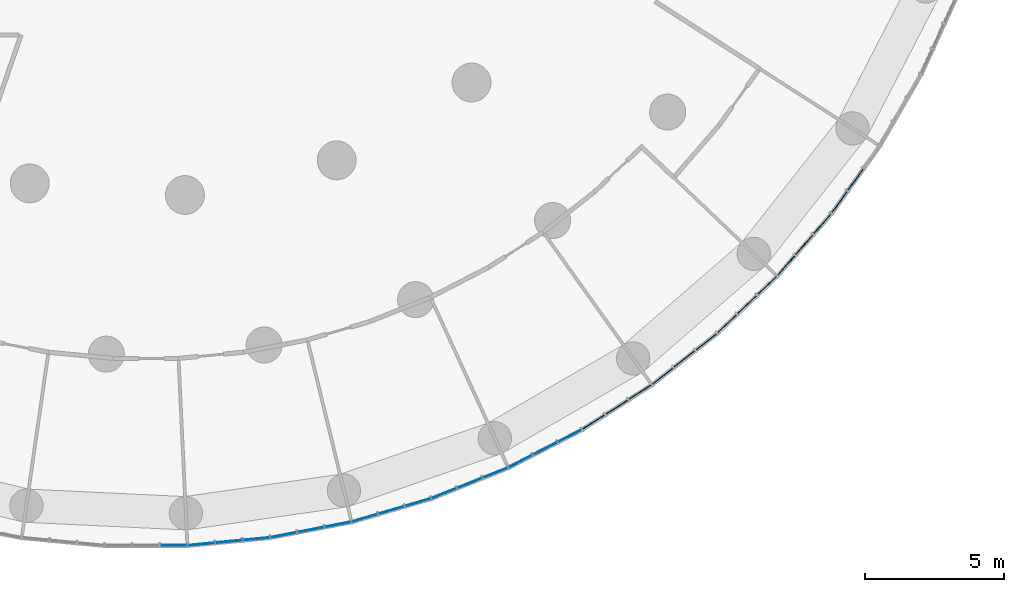
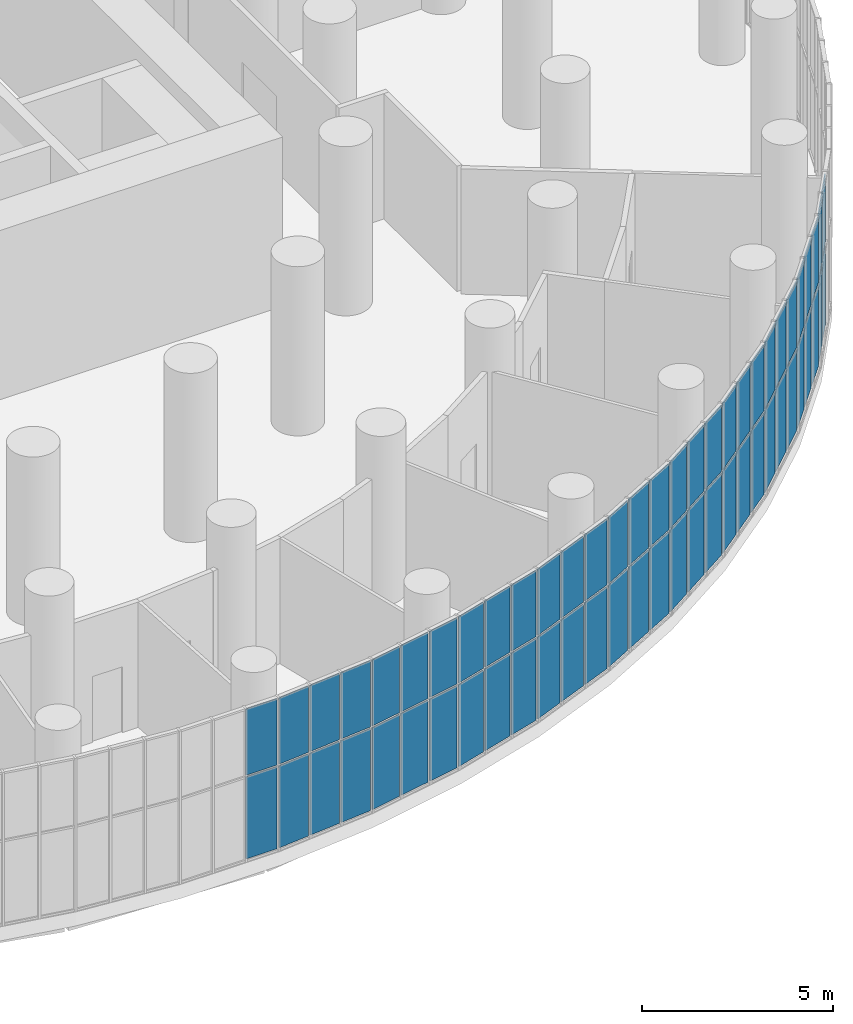
# One storey, part 15 of 27: 60 plates, 11 elements without a shape of their own.
"""IFC4 building model written with IfcOpenShell, lengths in metres."""

from ifc_helpers import new_model, si_unit, direction, frame, origin, origin_2d, place, context, subcontext, project, spatial, rectangle, extrude, material, layer, layer_set, type_object, element, aggregate, save


model = new_model("IFC4")

# Units and contexts
model_context = context("Model", 3, precision=1e-05, world=origin(), true_north=direction((0.0, 1.0)))
body_context = subcontext(model_context, "Body", "Model", "MODEL_VIEW")
ifc_project = project(units=[si_unit("LENGTHUNIT", "METRE"), si_unit("AREAUNIT", "SQUARE_METRE"), si_unit("VOLUMEUNIT", "CUBIC_METRE"), si_unit("PLANEANGLEUNIT", "RADIAN"), si_unit("MASSUNIT", "GRAM", prefix="KILO")], contexts=[model_context])

# Site, building, storey
site_placement = place(None, origin())
site = spatial("IfcSite", under=ifc_project, at=site_placement, CompositionType="ELEMENT")
building_placement = place(site_placement, origin())
building = spatial("IfcBuilding", under=site, at=building_placement, Name="Tracery Tower", CompositionType="ELEMENT")
storey_placement = place(building_placement, frame((0.0, 0.0, 114.60009765625)))
storey = spatial("IfcBuildingStorey", under=building, at=storey_placement, Name="L29", CompositionType="ELEMENT", Elevation=114.60009765625)

# Curtain wall, plates
ifc_material_1 = material(Name="Aluminium curtain wall with tinted glass", Category="aluminium")
ifc_layer_1 = layer(ifc_material_1, 0.179931640625)
ifc_layer_set_1 = layer_set([ifc_layer_1], Name="Sky lounge 1 tracery curtain wall")
curtain_wall_type = type_object("IfcCurtainWallType", Name="Sky lounge 1 tracery curtain wall", PredefinedType="NOTDEFINED", material=ifc_layer_set_1)
curtain_wall_1_placement = place(storey_placement, origin())
curtain_wall_1 = element("IfcCurtainWall", 1, at=curtain_wall_1_placement, inside=storey, type_object=curtain_wall_type, Name="Sky lounge 1 curtain wall run 50", PredefinedType="NOTDEFINED")
ifc_material_2 = material(Name="Tinted laminated glass", Category="glass")
ifc_layer_2 = layer(ifc_material_2, 0.031982421875)
ifc_layer_set_2 = layer_set([ifc_layer_2], Name="Sky lounge 1 glass panel 32")
plate_type = type_object("IfcPlateType", Name="Sky lounge 1 glass panel 32", PredefinedType="CURTAIN_PANEL", material=ifc_layer_set_2)
plate_1_placement = place(storey_placement, frame((0.9970703125, -31.39892578125, 0.06005859375), z_axis=(0.0, 0.0, 1.0), x_axis=(1.0, 0.0, 0.0)))
plate_1 = element("IfcPlate", 2, at=plate_1_placement, type_object=plate_type, Name="Sky lounge 1 curtain wall run 50 glass panel 5", PredefinedType="CURTAIN_PANEL", context=body_context, shape_type="SweptSolid", body=[
    extrude(rectangle(XDim=0.937255859375, YDim=0.031982421875, at=origin_2d()), origin(), (0.0, 0.0, 1.0), 2.610107421875),
])
plate_2_placement = place(storey_placement, frame((0.9970703125, -31.39892578125, 2.72998046875), z_axis=(0.0, 0.0, 1.0), x_axis=(1.0, 0.0, 0.0)))
plate_2 = element("IfcPlate", 3, at=plate_2_placement, type_object=plate_type, Name="Sky lounge 1 curtain wall run 50 glass panel 6", PredefinedType="CURTAIN_PANEL", context=body_context, shape_type="SweptSolid", body=[
    extrude(rectangle(XDim=0.937255859375, YDim=0.031982421875, at=origin_2d()), origin(), (0.0, 0.0, 1.0), 2.110107421875),
])
aggregate(curtain_wall_1, [plate_1, plate_2])

curtain_wall_2_placement = place(storey_placement, origin())
curtain_wall_2 = element("IfcCurtainWall", 4, at=curtain_wall_2_placement, inside=storey, type_object=curtain_wall_type, Name="Sky lounge 1 curtain wall run 51", PredefinedType="NOTDEFINED")
plate_3_placement = place(storey_placement, frame((1.991943359375, -31.3515625, 0.06005859375), z_axis=(0.0, 0.0, 1.0), x_axis=(0.995471922572, 0.095056043312, 0.0)))
plate_3 = element("IfcPlate", 5, at=plate_3_placement, type_object=plate_type, Name="Sky lounge 1 curtain wall run 51 glass panel 1", PredefinedType="CURTAIN_PANEL", context=body_context, shape_type="SweptSolid", body=[
    extrude(rectangle(XDim=0.937255859375, YDim=0.031982421875, at=origin_2d()), origin(), (0.0, 0.0, 1.0), 2.610107421875),
])
plate_4_placement = place(storey_placement, frame((1.991943359375, -31.3515625, 2.72998046875), z_axis=(0.0, 0.0, 1.0), x_axis=(0.995471922572, 0.095056043312, 0.0)))
plate_4 = element("IfcPlate", 6, at=plate_4_placement, type_object=plate_type, Name="Sky lounge 1 curtain wall run 51 glass panel 2", PredefinedType="CURTAIN_PANEL", context=body_context, shape_type="SweptSolid", body=[
    extrude(rectangle(XDim=0.937255859375, YDim=0.031982421875, at=origin_2d()), origin(), (0.0, 0.0, 1.0), 2.110107421875),
])
plate_5_placement = place(storey_placement, frame((2.984619140625, -31.2568359375, 0.06005859375), z_axis=(0.0, 0.0, 1.0), x_axis=(0.995471922572, 0.095056043312, 0.0)))
plate_5 = element("IfcPlate", 7, at=plate_5_placement, type_object=plate_type, Name="Sky lounge 1 curtain wall run 51 glass panel 3", PredefinedType="CURTAIN_PANEL", context=body_context, shape_type="SweptSolid", body=[
    extrude(rectangle(XDim=0.937255859375, YDim=0.031982421875, at=origin_2d()), origin(), (0.0, 0.0, 1.0), 2.610107421875),
])
plate_6_placement = place(storey_placement, frame((2.984619140625, -31.2568359375, 2.72998046875), z_axis=(0.0, 0.0, 1.0), x_axis=(0.995471922572, 0.095056043312, 0.0)))
plate_6 = element("IfcPlate", 8, at=plate_6_placement, type_object=plate_type, Name="Sky lounge 1 curtain wall run 51 glass panel 4", PredefinedType="CURTAIN_PANEL", context=body_context, shape_type="SweptSolid", body=[
    extrude(rectangle(XDim=0.937255859375, YDim=0.031982421875, at=origin_2d()), origin(), (0.0, 0.0, 1.0), 2.110107421875),
])
plate_7_placement = place(storey_placement, frame((3.977294921875, -31.161865234375, 0.06005859375), z_axis=(0.0, 0.0, 1.0), x_axis=(0.995471922572, 0.095056043312, 0.0)))
plate_7 = element("IfcPlate", 9, at=plate_7_placement, type_object=plate_type, Name="Sky lounge 1 curtain wall run 51 glass panel 5", PredefinedType="CURTAIN_PANEL", context=body_context, shape_type="SweptSolid", body=[
    extrude(rectangle(XDim=0.937255859375, YDim=0.031982421875, at=origin_2d()), origin(), (0.0, 0.0, 1.0), 2.610107421875),
])
plate_8_placement = place(storey_placement, frame((3.977294921875, -31.161865234375, 2.72998046875), z_axis=(0.0, 0.0, 1.0), x_axis=(0.995471922572, 0.095056043312, 0.0)))
plate_8 = element("IfcPlate", 10, at=plate_8_placement, type_object=plate_type, Name="Sky lounge 1 curtain wall run 51 glass panel 6", PredefinedType="CURTAIN_PANEL", context=body_context, shape_type="SweptSolid", body=[
    extrude(rectangle(XDim=0.937255859375, YDim=0.031982421875, at=origin_2d()), origin(), (0.0, 0.0, 1.0), 2.110107421875),
])
aggregate(curtain_wall_2, [plate_3, plate_4, plate_5, plate_6, plate_7, plate_8])

curtain_wall_3_placement = place(storey_placement, origin())
curtain_wall_3 = element("IfcCurtainWall", 11, at=curtain_wall_3_placement, inside=storey, type_object=curtain_wall_type, Name="Sky lounge 1 curtain wall run 52", PredefinedType="NOTDEFINED")
plate_9_placement = place(storey_placement, frame((4.963134765625, -31.020263671875, 0.06005859375), z_axis=(0.0, 0.0, 1.0), x_axis=(0.981928697263, 0.189251244359, 0.0)))
plate_9 = element("IfcPlate", 12, at=plate_9_placement, type_object=plate_type, Name="Sky lounge 1 curtain wall run 52 glass panel 1", PredefinedType="CURTAIN_PANEL", context=body_context, shape_type="SweptSolid", body=[
    extrude(rectangle(XDim=0.937255859375, YDim=0.031982421875, at=origin_2d()), origin(), (0.0, 0.0, 1.0), 2.610107421875),
])
plate_10_placement = place(storey_placement, frame((4.963134765625, -31.020263671875, 2.72998046875), z_axis=(0.0, 0.0, 1.0), x_axis=(0.981928697263, 0.189251244359, 0.0)))
plate_10 = element("IfcPlate", 13, at=plate_10_placement, type_object=plate_type, Name="Sky lounge 1 curtain wall run 52 glass panel 2", PredefinedType="CURTAIN_PANEL", context=body_context, shape_type="SweptSolid", body=[
    extrude(rectangle(XDim=0.937255859375, YDim=0.031982421875, at=origin_2d()), origin(), (0.0, 0.0, 1.0), 2.110107421875),
])
plate_11_placement = place(storey_placement, frame((5.9423828125, -30.83154296875, 0.06005859375), z_axis=(0.0, 0.0, 1.0), x_axis=(0.981928697263, 0.189251244359, 0.0)))
plate_11 = element("IfcPlate", 14, at=plate_11_placement, type_object=plate_type, Name="Sky lounge 1 curtain wall run 52 glass panel 3", PredefinedType="CURTAIN_PANEL", context=body_context, shape_type="SweptSolid", body=[
    extrude(rectangle(XDim=0.937255859375, YDim=0.031982421875, at=origin_2d()), origin(), (0.0, 0.0, 1.0), 2.610107421875),
])
plate_12_placement = place(storey_placement, frame((5.9423828125, -30.83154296875, 2.72998046875), z_axis=(0.0, 0.0, 1.0), x_axis=(0.981928697263, 0.189251244359, 0.0)))
plate_12 = element("IfcPlate", 15, at=plate_12_placement, type_object=plate_type, Name="Sky lounge 1 curtain wall run 52 glass panel 4", PredefinedType="CURTAIN_PANEL", context=body_context, shape_type="SweptSolid", body=[
    extrude(rectangle(XDim=0.937255859375, YDim=0.031982421875, at=origin_2d()), origin(), (0.0, 0.0, 1.0), 2.110107421875),
])
plate_13_placement = place(storey_placement, frame((6.92138671875, -30.642822265625, 0.06005859375), z_axis=(0.0, 0.0, 1.0), x_axis=(0.981928697263, 0.189251244359, 0.0)))
plate_13 = element("IfcPlate", 16, at=plate_13_placement, type_object=plate_type, Name="Sky lounge 1 curtain wall run 52 glass panel 5", PredefinedType="CURTAIN_PANEL", context=body_context, shape_type="SweptSolid", body=[
    extrude(rectangle(XDim=0.937255859375, YDim=0.031982421875, at=origin_2d()), origin(), (0.0, 0.0, 1.0), 2.610107421875),
])
plate_14_placement = place(storey_placement, frame((6.92138671875, -30.642822265625, 2.72998046875), z_axis=(0.0, 0.0, 1.0), x_axis=(0.981928697263, 0.189251244359, 0.0)))
plate_14 = element("IfcPlate", 17, at=plate_14_placement, type_object=plate_type, Name="Sky lounge 1 curtain wall run 52 glass panel 6", PredefinedType="CURTAIN_PANEL", context=body_context, shape_type="SweptSolid", body=[
    extrude(rectangle(XDim=0.937255859375, YDim=0.031982421875, at=origin_2d()), origin(), (0.0, 0.0, 1.0), 2.110107421875),
])
aggregate(curtain_wall_3, [plate_9, plate_10, plate_11, plate_12, plate_13, plate_14])

curtain_wall_4_placement = place(storey_placement, origin())
curtain_wall_4 = element("IfcCurtainWall", 18, at=curtain_wall_4_placement, inside=storey, type_object=curtain_wall_type, Name="Sky lounge 1 curtain wall run 53", PredefinedType="NOTDEFINED")
plate_15_placement = place(storey_placement, frame((7.889404296875, -30.407958984375, 0.06005859375), z_axis=(0.0, 0.0, 1.0), x_axis=(0.959492973613, 0.281732556848, 0.0)))
plate_15 = element("IfcPlate", 19, at=plate_15_placement, type_object=plate_type, Name="Sky lounge 1 curtain wall run 53 glass panel 1", PredefinedType="CURTAIN_PANEL", context=body_context, shape_type="SweptSolid", body=[
    extrude(rectangle(XDim=0.937255859375, YDim=0.031982421875, at=origin_2d()), origin(), (0.0, 0.0, 1.0), 2.610107421875),
])
plate_16_placement = place(storey_placement, frame((7.889404296875, -30.407958984375, 2.72998046875), z_axis=(0.0, 0.0, 1.0), x_axis=(0.959492973613, 0.281732556848, 0.0)))
plate_16 = element("IfcPlate", 20, at=plate_16_placement, type_object=plate_type, Name="Sky lounge 1 curtain wall run 53 glass panel 2", PredefinedType="CURTAIN_PANEL", context=body_context, shape_type="SweptSolid", body=[
    extrude(rectangle(XDim=0.937255859375, YDim=0.031982421875, at=origin_2d()), origin(), (0.0, 0.0, 1.0), 2.110107421875),
])
plate_17_placement = place(storey_placement, frame((8.84619140625, -30.126953125, 0.06005859375), z_axis=(0.0, 0.0, 1.0), x_axis=(0.959492973613, 0.281732556848, 0.0)))
plate_17 = element("IfcPlate", 21, at=plate_17_placement, type_object=plate_type, Name="Sky lounge 1 curtain wall run 53 glass panel 3", PredefinedType="CURTAIN_PANEL", context=body_context, shape_type="SweptSolid", body=[
    extrude(rectangle(XDim=0.937255859375, YDim=0.031982421875, at=origin_2d()), origin(), (0.0, 0.0, 1.0), 2.610107421875),
])
plate_18_placement = place(storey_placement, frame((8.84619140625, -30.126953125, 2.72998046875), z_axis=(0.0, 0.0, 1.0), x_axis=(0.959492973613, 0.281732556848, 0.0)))
plate_18 = element("IfcPlate", 22, at=plate_18_placement, type_object=plate_type, Name="Sky lounge 1 curtain wall run 53 glass panel 4", PredefinedType="CURTAIN_PANEL", context=body_context, shape_type="SweptSolid", body=[
    extrude(rectangle(XDim=0.937255859375, YDim=0.031982421875, at=origin_2d()), origin(), (0.0, 0.0, 1.0), 2.110107421875),
])
plate_19_placement = place(storey_placement, frame((9.802734375, -29.84619140625, 0.06005859375), z_axis=(0.0, 0.0, 1.0), x_axis=(0.959492973613, 0.281732556848, 0.0)))
plate_19 = element("IfcPlate", 23, at=plate_19_placement, type_object=plate_type, Name="Sky lounge 1 curtain wall run 53 glass panel 5", PredefinedType="CURTAIN_PANEL", context=body_context, shape_type="SweptSolid", body=[
    extrude(rectangle(XDim=0.937255859375, YDim=0.031982421875, at=origin_2d()), origin(), (0.0, 0.0, 1.0), 2.610107421875),
])
plate_20_placement = place(storey_placement, frame((9.802734375, -29.84619140625, 2.72998046875), z_axis=(0.0, 0.0, 1.0), x_axis=(0.959492973613, 0.281732556848, 0.0)))
plate_20 = element("IfcPlate", 24, at=plate_20_placement, type_object=plate_type, Name="Sky lounge 1 curtain wall run 53 glass panel 6", PredefinedType="CURTAIN_PANEL", context=body_context, shape_type="SweptSolid", body=[
    extrude(rectangle(XDim=0.937255859375, YDim=0.031982421875, at=origin_2d()), origin(), (0.0, 0.0, 1.0), 2.110107421875),
])
aggregate(curtain_wall_4, [plate_15, plate_16, plate_17, plate_18, plate_19, plate_20])

curtain_wall_5_placement = place(storey_placement, origin())
curtain_wall_5 = element("IfcCurtainWall", 25, at=curtain_wall_5_placement, inside=storey, type_object=curtain_wall_type, Name="Sky lounge 1 curtain wall run 54", PredefinedType="NOTDEFINED")
plate_21_placement = place(storey_placement, frame((10.744140625, -29.520263671875, 0.06005859375), z_axis=(0.0, 0.0, 1.0), x_axis=(0.928367933017, 0.371662455657, 0.0)))
plate_21 = element("IfcPlate", 26, at=plate_21_placement, type_object=plate_type, Name="Sky lounge 1 curtain wall run 54 glass panel 1", PredefinedType="CURTAIN_PANEL", context=body_context, shape_type="SweptSolid", body=[
    extrude(rectangle(XDim=0.937255859375, YDim=0.031982421875, at=origin_2d()), origin(), (0.0, 0.0, 1.0), 2.610107421875),
])
plate_22_placement = place(storey_placement, frame((10.744140625, -29.520263671875, 2.72998046875), z_axis=(0.0, 0.0, 1.0), x_axis=(0.928367933017, 0.371662455657, 0.0)))
plate_22 = element("IfcPlate", 27, at=plate_22_placement, type_object=plate_type, Name="Sky lounge 1 curtain wall run 54 glass panel 2", PredefinedType="CURTAIN_PANEL", context=body_context, shape_type="SweptSolid", body=[
    extrude(rectangle(XDim=0.937255859375, YDim=0.031982421875, at=origin_2d()), origin(), (0.0, 0.0, 1.0), 2.110107421875),
])
plate_23_placement = place(storey_placement, frame((11.669677734375, -29.149658203125, 0.06005859375), z_axis=(0.0, 0.0, 1.0), x_axis=(0.928367933017, 0.371662455657, 0.0)))
plate_23 = element("IfcPlate", 28, at=plate_23_placement, type_object=plate_type, Name="Sky lounge 1 curtain wall run 54 glass panel 3", PredefinedType="CURTAIN_PANEL", context=body_context, shape_type="SweptSolid", body=[
    extrude(rectangle(XDim=0.937255859375, YDim=0.031982421875, at=origin_2d()), origin(), (0.0, 0.0, 1.0), 2.610107421875),
])
plate_24_placement = place(storey_placement, frame((11.669677734375, -29.149658203125, 2.72998046875), z_axis=(0.0, 0.0, 1.0), x_axis=(0.928367933017, 0.371662455657, 0.0)))
plate_24 = element("IfcPlate", 29, at=plate_24_placement, type_object=plate_type, Name="Sky lounge 1 curtain wall run 54 glass panel 4", PredefinedType="CURTAIN_PANEL", context=body_context, shape_type="SweptSolid", body=[
    extrude(rectangle(XDim=0.937255859375, YDim=0.031982421875, at=origin_2d()), origin(), (0.0, 0.0, 1.0), 2.110107421875),
])
plate_25_placement = place(storey_placement, frame((12.595458984375, -28.779052734375, 0.06005859375), z_axis=(0.0, 0.0, 1.0), x_axis=(0.928367933017, 0.371662455657, 0.0)))
plate_25 = element("IfcPlate", 30, at=plate_25_placement, type_object=plate_type, Name="Sky lounge 1 curtain wall run 54 glass panel 5", PredefinedType="CURTAIN_PANEL", context=body_context, shape_type="SweptSolid", body=[
    extrude(rectangle(XDim=0.937255859375, YDim=0.031982421875, at=origin_2d()), origin(), (0.0, 0.0, 1.0), 2.610107421875),
])
plate_26_placement = place(storey_placement, frame((12.595458984375, -28.779052734375, 2.72998046875), z_axis=(0.0, 0.0, 1.0), x_axis=(0.928367933017, 0.371662455657, 0.0)))
plate_26 = element("IfcPlate", 31, at=plate_26_placement, type_object=plate_type, Name="Sky lounge 1 curtain wall run 54 glass panel 6", PredefinedType="CURTAIN_PANEL", context=body_context, shape_type="SweptSolid", body=[
    extrude(rectangle(XDim=0.937255859375, YDim=0.031982421875, at=origin_2d()), origin(), (0.0, 0.0, 1.0), 2.110107421875),
])
aggregate(curtain_wall_5, [plate_21, plate_22, plate_23, plate_24, plate_25, plate_26])

curtain_wall_6_placement = place(storey_placement, origin())
curtain_wall_6 = element("IfcCurtainWall", 32, at=curtain_wall_6_placement, inside=storey, type_object=curtain_wall_type, Name="Sky lounge 1 curtain wall run 55", PredefinedType="NOTDEFINED")
plate_27_placement = place(storey_placement, frame((13.50146484375, -28.365478515625, 0.06005859375), z_axis=(0.0, 0.0, 1.0), x_axis=(0.888835448653, 0.458226521732, 0.0)))
plate_27 = element("IfcPlate", 33, at=plate_27_placement, type_object=plate_type, Name="Sky lounge 1 curtain wall run 55 glass panel 1", PredefinedType="CURTAIN_PANEL", context=body_context, shape_type="SweptSolid", body=[
    extrude(rectangle(XDim=0.937255859375, YDim=0.031982421875, at=origin_2d()), origin(), (0.0, 0.0, 1.0), 2.610107421875),
])
plate_28_placement = place(storey_placement, frame((13.50146484375, -28.365478515625, 2.72998046875), z_axis=(0.0, 0.0, 1.0), x_axis=(0.888835448653, 0.458226521732, 0.0)))
plate_28 = element("IfcPlate", 34, at=plate_28_placement, type_object=plate_type, Name="Sky lounge 1 curtain wall run 55 glass panel 2", PredefinedType="CURTAIN_PANEL", context=body_context, shape_type="SweptSolid", body=[
    extrude(rectangle(XDim=0.937255859375, YDim=0.031982421875, at=origin_2d()), origin(), (0.0, 0.0, 1.0), 2.110107421875),
])
plate_29_placement = place(storey_placement, frame((14.3876953125, -27.908447265625, 0.06005859375), z_axis=(0.0, 0.0, 1.0), x_axis=(0.888835448653, 0.458226521732, 0.0)))
plate_29 = element("IfcPlate", 35, at=plate_29_placement, type_object=plate_type, Name="Sky lounge 1 curtain wall run 55 glass panel 3", PredefinedType="CURTAIN_PANEL", context=body_context, shape_type="SweptSolid", body=[
    extrude(rectangle(XDim=0.937255859375, YDim=0.031982421875, at=origin_2d()), origin(), (0.0, 0.0, 1.0), 2.610107421875),
])
plate_30_placement = place(storey_placement, frame((14.3876953125, -27.908447265625, 2.72998046875), z_axis=(0.0, 0.0, 1.0), x_axis=(0.888835448653, 0.458226521732, 0.0)))
plate_30 = element("IfcPlate", 36, at=plate_30_placement, type_object=plate_type, Name="Sky lounge 1 curtain wall run 55 glass panel 4", PredefinedType="CURTAIN_PANEL", context=body_context, shape_type="SweptSolid", body=[
    extrude(rectangle(XDim=0.937255859375, YDim=0.031982421875, at=origin_2d()), origin(), (0.0, 0.0, 1.0), 2.110107421875),
])
plate_31_placement = place(storey_placement, frame((15.274169921875, -27.451416015625, 0.06005859375), z_axis=(0.0, 0.0, 1.0), x_axis=(0.888835448653, 0.458226521732, 0.0)))
plate_31 = element("IfcPlate", 37, at=plate_31_placement, type_object=plate_type, Name="Sky lounge 1 curtain wall run 55 glass panel 5", PredefinedType="CURTAIN_PANEL", context=body_context, shape_type="SweptSolid", body=[
    extrude(rectangle(XDim=0.937255859375, YDim=0.031982421875, at=origin_2d()), origin(), (0.0, 0.0, 1.0), 2.610107421875),
])
plate_32_placement = place(storey_placement, frame((15.274169921875, -27.451416015625, 2.72998046875), z_axis=(0.0, 0.0, 1.0), x_axis=(0.888835448653, 0.458226521732, 0.0)))
plate_32 = element("IfcPlate", 38, at=plate_32_placement, type_object=plate_type, Name="Sky lounge 1 curtain wall run 55 glass panel 6", PredefinedType="CURTAIN_PANEL", context=body_context, shape_type="SweptSolid", body=[
    extrude(rectangle(XDim=0.937255859375, YDim=0.031982421875, at=origin_2d()), origin(), (0.0, 0.0, 1.0), 2.110107421875),
])
aggregate(curtain_wall_6, [plate_27, plate_28, plate_29, plate_30, plate_31, plate_32])

curtain_wall_7_placement = place(storey_placement, origin())
curtain_wall_7 = element("IfcCurtainWall", 39, at=curtain_wall_7_placement, inside=storey, type_object=curtain_wall_type, Name="Sky lounge 1 curtain wall run 56", PredefinedType="NOTDEFINED")
plate_33_placement = place(storey_placement, frame((16.13671875, -26.95361328125, 0.06005859375), z_axis=(0.0, 0.0, 1.0), x_axis=(0.841253532834, 0.540640817452, 0.0)))
plate_33 = element("IfcPlate", 40, at=plate_33_placement, type_object=plate_type, Name="Sky lounge 1 curtain wall run 56 glass panel 1", PredefinedType="CURTAIN_PANEL", context=body_context, shape_type="SweptSolid", body=[
    extrude(rectangle(XDim=0.937255859375, YDim=0.031982421875, at=origin_2d()), origin(), (0.0, 0.0, 1.0), 2.610107421875),
])
plate_34_placement = place(storey_placement, frame((16.13671875, -26.95361328125, 2.72998046875), z_axis=(0.0, 0.0, 1.0), x_axis=(0.841253532834, 0.540640817452, 0.0)))
plate_34 = element("IfcPlate", 41, at=plate_34_placement, type_object=plate_type, Name="Sky lounge 1 curtain wall run 56 glass panel 2", PredefinedType="CURTAIN_PANEL", context=body_context, shape_type="SweptSolid", body=[
    extrude(rectangle(XDim=0.937255859375, YDim=0.031982421875, at=origin_2d()), origin(), (0.0, 0.0, 1.0), 2.110107421875),
])
plate_35_placement = place(storey_placement, frame((16.9755859375, -26.41455078125, 0.06005859375), z_axis=(0.0, 0.0, 1.0), x_axis=(0.841253532834, 0.540640817452, 0.0)))
plate_35 = element("IfcPlate", 42, at=plate_35_placement, type_object=plate_type, Name="Sky lounge 1 curtain wall run 56 glass panel 3", PredefinedType="CURTAIN_PANEL", context=body_context, shape_type="SweptSolid", body=[
    extrude(rectangle(XDim=0.937255859375, YDim=0.031982421875, at=origin_2d()), origin(), (0.0, 0.0, 1.0), 2.610107421875),
])
plate_36_placement = place(storey_placement, frame((16.9755859375, -26.41455078125, 2.72998046875), z_axis=(0.0, 0.0, 1.0), x_axis=(0.841253532834, 0.540640817452, 0.0)))
plate_36 = element("IfcPlate", 43, at=plate_36_placement, type_object=plate_type, Name="Sky lounge 1 curtain wall run 56 glass panel 4", PredefinedType="CURTAIN_PANEL", context=body_context, shape_type="SweptSolid", body=[
    extrude(rectangle(XDim=0.937255859375, YDim=0.031982421875, at=origin_2d()), origin(), (0.0, 0.0, 1.0), 2.110107421875),
])
plate_37_placement = place(storey_placement, frame((17.814453125, -25.875244140625, 0.06005859375), z_axis=(0.0, 0.0, 1.0), x_axis=(0.841253532834, 0.540640817452, 0.0)))
plate_37 = element("IfcPlate", 44, at=plate_37_placement, type_object=plate_type, Name="Sky lounge 1 curtain wall run 56 glass panel 5", PredefinedType="CURTAIN_PANEL", context=body_context, shape_type="SweptSolid", body=[
    extrude(rectangle(XDim=0.937255859375, YDim=0.031982421875, at=origin_2d()), origin(), (0.0, 0.0, 1.0), 2.610107421875),
])
plate_38_placement = place(storey_placement, frame((17.814453125, -25.875244140625, 2.72998046875), z_axis=(0.0, 0.0, 1.0), x_axis=(0.841253532834, 0.540640817452, 0.0)))
plate_38 = element("IfcPlate", 45, at=plate_38_placement, type_object=plate_type, Name="Sky lounge 1 curtain wall run 56 glass panel 6", PredefinedType="CURTAIN_PANEL", context=body_context, shape_type="SweptSolid", body=[
    extrude(rectangle(XDim=0.937255859375, YDim=0.031982421875, at=origin_2d()), origin(), (0.0, 0.0, 1.0), 2.110107421875),
])
aggregate(curtain_wall_7, [plate_33, plate_34, plate_35, plate_36, plate_37, plate_38])

curtain_wall_8_placement = place(storey_placement, origin())
curtain_wall_8 = element("IfcCurtainWall", 46, at=curtain_wall_8_placement, inside=storey, type_object=curtain_wall_type, Name="Sky lounge 1 curtain wall run 57", PredefinedType="NOTDEFINED")
plate_39_placement = place(storey_placement, frame((18.625732421875, -25.297607421875, 0.06005859375), z_axis=(0.0, 0.0, 1.0), x_axis=(0.786053094741, 0.618158986223, 0.0)))
plate_39 = element("IfcPlate", 47, at=plate_39_placement, type_object=plate_type, Name="Sky lounge 1 curtain wall run 57 glass panel 1", PredefinedType="CURTAIN_PANEL", context=body_context, shape_type="SweptSolid", body=[
    extrude(rectangle(XDim=0.937255859375, YDim=0.031982421875, at=origin_2d()), origin(), (0.0, 0.0, 1.0), 2.610107421875),
])
plate_40_placement = place(storey_placement, frame((18.625732421875, -25.297607421875, 2.72998046875), z_axis=(0.0, 0.0, 1.0), x_axis=(0.786053094741, 0.618158986223, 0.0)))
plate_40 = element("IfcPlate", 48, at=plate_40_placement, type_object=plate_type, Name="Sky lounge 1 curtain wall run 57 glass panel 2", PredefinedType="CURTAIN_PANEL", context=body_context, shape_type="SweptSolid", body=[
    extrude(rectangle(XDim=0.937255859375, YDim=0.031982421875, at=origin_2d()), origin(), (0.0, 0.0, 1.0), 2.110107421875),
])
plate_41_placement = place(storey_placement, frame((19.409423828125, -24.68115234375, 0.06005859375), z_axis=(0.0, 0.0, 1.0), x_axis=(0.786053094741, 0.618158986223, 0.0)))
plate_41 = element("IfcPlate", 49, at=plate_41_placement, type_object=plate_type, Name="Sky lounge 1 curtain wall run 57 glass panel 3", PredefinedType="CURTAIN_PANEL", context=body_context, shape_type="SweptSolid", body=[
    extrude(rectangle(XDim=0.937255859375, YDim=0.031982421875, at=origin_2d()), origin(), (0.0, 0.0, 1.0), 2.610107421875),
])
plate_42_placement = place(storey_placement, frame((19.409423828125, -24.68115234375, 2.72998046875), z_axis=(0.0, 0.0, 1.0), x_axis=(0.786053094741, 0.618158986223, 0.0)))
plate_42 = element("IfcPlate", 50, at=plate_42_placement, type_object=plate_type, Name="Sky lounge 1 curtain wall run 57 glass panel 4", PredefinedType="CURTAIN_PANEL", context=body_context, shape_type="SweptSolid", body=[
    extrude(rectangle(XDim=0.937255859375, YDim=0.031982421875, at=origin_2d()), origin(), (0.0, 0.0, 1.0), 2.110107421875),
])
plate_43_placement = place(storey_placement, frame((20.193359375, -24.064697265625, 0.06005859375), z_axis=(0.0, 0.0, 1.0), x_axis=(0.786053094741, 0.618158986223, 0.0)))
plate_43 = element("IfcPlate", 51, at=plate_43_placement, type_object=plate_type, Name="Sky lounge 1 curtain wall run 57 glass panel 5", PredefinedType="CURTAIN_PANEL", context=body_context, shape_type="SweptSolid", body=[
    extrude(rectangle(XDim=0.937255859375, YDim=0.031982421875, at=origin_2d()), origin(), (0.0, 0.0, 1.0), 2.610107421875),
])
plate_44_placement = place(storey_placement, frame((20.193359375, -24.064697265625, 2.72998046875), z_axis=(0.0, 0.0, 1.0), x_axis=(0.786053094741, 0.618158986223, 0.0)))
plate_44 = element("IfcPlate", 52, at=plate_44_placement, type_object=plate_type, Name="Sky lounge 1 curtain wall run 57 glass panel 6", PredefinedType="CURTAIN_PANEL", context=body_context, shape_type="SweptSolid", body=[
    extrude(rectangle(XDim=0.937255859375, YDim=0.031982421875, at=origin_2d()), origin(), (0.0, 0.0, 1.0), 2.110107421875),
])
aggregate(curtain_wall_8, [plate_39, plate_40, plate_41, plate_42, plate_43, plate_44])

curtain_wall_9_placement = place(storey_placement, origin())
curtain_wall_9 = element("IfcCurtainWall", 53, at=curtain_wall_9_placement, inside=storey, type_object=curtain_wall_type, Name="Sky lounge 1 curtain wall run 58", PredefinedType="NOTDEFINED")
plate_45_placement = place(storey_placement, frame((20.946044921875, -23.41259765625, 0.06005859375), z_axis=(0.0, 0.0, 1.0), x_axis=(0.723734038109, 0.690079011478, 0.0)))
plate_45 = element("IfcPlate", 54, at=plate_45_placement, type_object=plate_type, Name="Sky lounge 1 curtain wall run 58 glass panel 1", PredefinedType="CURTAIN_PANEL", context=body_context, shape_type="SweptSolid", body=[
    extrude(rectangle(XDim=0.937255859375, YDim=0.031982421875, at=origin_2d()), origin(), (0.0, 0.0, 1.0), 2.610107421875),
])
plate_46_placement = place(storey_placement, frame((20.946044921875, -23.41259765625, 2.72998046875), z_axis=(0.0, 0.0, 1.0), x_axis=(0.723734038109, 0.690079011478, 0.0)))
plate_46 = element("IfcPlate", 55, at=plate_46_placement, type_object=plate_type, Name="Sky lounge 1 curtain wall run 58 glass panel 2", PredefinedType="CURTAIN_PANEL", context=body_context, shape_type="SweptSolid", body=[
    extrude(rectangle(XDim=0.937255859375, YDim=0.031982421875, at=origin_2d()), origin(), (0.0, 0.0, 1.0), 2.110107421875),
])
plate_47_placement = place(storey_placement, frame((21.667724609375, -22.724365234375, 0.06005859375), z_axis=(0.0, 0.0, 1.0), x_axis=(0.723734038109, 0.690079011478, 0.0)))
plate_47 = element("IfcPlate", 56, at=plate_47_placement, type_object=plate_type, Name="Sky lounge 1 curtain wall run 58 glass panel 3", PredefinedType="CURTAIN_PANEL", context=body_context, shape_type="SweptSolid", body=[
    extrude(rectangle(XDim=0.937255859375, YDim=0.031982421875, at=origin_2d()), origin(), (0.0, 0.0, 1.0), 2.610107421875),
])
plate_48_placement = place(storey_placement, frame((21.667724609375, -22.724365234375, 2.72998046875), z_axis=(0.0, 0.0, 1.0), x_axis=(0.723734038109, 0.690079011478, 0.0)))
plate_48 = element("IfcPlate", 57, at=plate_48_placement, type_object=plate_type, Name="Sky lounge 1 curtain wall run 58 glass panel 4", PredefinedType="CURTAIN_PANEL", context=body_context, shape_type="SweptSolid", body=[
    extrude(rectangle(XDim=0.937255859375, YDim=0.031982421875, at=origin_2d()), origin(), (0.0, 0.0, 1.0), 2.110107421875),
])
plate_49_placement = place(storey_placement, frame((22.389404296875, -22.036376953125, 0.06005859375), z_axis=(0.0, 0.0, 1.0), x_axis=(0.723734038109, 0.690079011478, 0.0)))
plate_49 = element("IfcPlate", 58, at=plate_49_placement, type_object=plate_type, Name="Sky lounge 1 curtain wall run 58 glass panel 5", PredefinedType="CURTAIN_PANEL", context=body_context, shape_type="SweptSolid", body=[
    extrude(rectangle(XDim=0.937255859375, YDim=0.031982421875, at=origin_2d()), origin(), (0.0, 0.0, 1.0), 2.610107421875),
])
plate_50_placement = place(storey_placement, frame((22.389404296875, -22.036376953125, 2.72998046875), z_axis=(0.0, 0.0, 1.0), x_axis=(0.723734038109, 0.690079011478, 0.0)))
plate_50 = element("IfcPlate", 59, at=plate_50_placement, type_object=plate_type, Name="Sky lounge 1 curtain wall run 58 glass panel 6", PredefinedType="CURTAIN_PANEL", context=body_context, shape_type="SweptSolid", body=[
    extrude(rectangle(XDim=0.937255859375, YDim=0.031982421875, at=origin_2d()), origin(), (0.0, 0.0, 1.0), 2.110107421875),
])
aggregate(curtain_wall_9, [plate_45, plate_46, plate_47, plate_48, plate_49, plate_50])

curtain_wall_10_placement = place(storey_placement, origin())
curtain_wall_10 = element("IfcCurtainWall", 60, at=curtain_wall_10_placement, inside=storey, type_object=curtain_wall_type, Name="Sky lounge 1 curtain wall run 59", PredefinedType="NOTDEFINED")
plate_51_placement = place(storey_placement, frame((23.07666015625, -21.3154296875, 0.06005859375), z_axis=(0.0, 0.0, 1.0), x_axis=(0.654860733944, 0.755749574355, 0.0)))
plate_51 = element("IfcPlate", 61, at=plate_51_placement, type_object=plate_type, Name="Sky lounge 1 curtain wall run 59 glass panel 1", PredefinedType="CURTAIN_PANEL", context=body_context, shape_type="SweptSolid", body=[
    extrude(rectangle(XDim=0.937255859375, YDim=0.031982421875, at=origin_2d()), origin(), (0.0, 0.0, 1.0), 2.610107421875),
])
plate_52_placement = place(storey_placement, frame((23.07666015625, -21.3154296875, 2.72998046875), z_axis=(0.0, 0.0, 1.0), x_axis=(0.654860733944, 0.755749574355, 0.0)))
plate_52 = element("IfcPlate", 62, at=plate_52_placement, type_object=plate_type, Name="Sky lounge 1 curtain wall run 59 glass panel 2", PredefinedType="CURTAIN_PANEL", context=body_context, shape_type="SweptSolid", body=[
    extrude(rectangle(XDim=0.937255859375, YDim=0.031982421875, at=origin_2d()), origin(), (0.0, 0.0, 1.0), 2.110107421875),
])
plate_53_placement = place(storey_placement, frame((23.729736328125, -20.56201171875, 0.06005859375), z_axis=(0.0, 0.0, 1.0), x_axis=(0.654860733944, 0.755749574355, 0.0)))
plate_53 = element("IfcPlate", 63, at=plate_53_placement, type_object=plate_type, Name="Sky lounge 1 curtain wall run 59 glass panel 3", PredefinedType="CURTAIN_PANEL", context=body_context, shape_type="SweptSolid", body=[
    extrude(rectangle(XDim=0.937255859375, YDim=0.031982421875, at=origin_2d()), origin(), (0.0, 0.0, 1.0), 2.610107421875),
])
plate_54_placement = place(storey_placement, frame((23.729736328125, -20.56201171875, 2.72998046875), z_axis=(0.0, 0.0, 1.0), x_axis=(0.654860733944, 0.755749574355, 0.0)))
plate_54 = element("IfcPlate", 64, at=plate_54_placement, type_object=plate_type, Name="Sky lounge 1 curtain wall run 59 glass panel 4", PredefinedType="CURTAIN_PANEL", context=body_context, shape_type="SweptSolid", body=[
    extrude(rectangle(XDim=0.937255859375, YDim=0.031982421875, at=origin_2d()), origin(), (0.0, 0.0, 1.0), 2.110107421875),
])
plate_55_placement = place(storey_placement, frame((24.382568359375, -19.808349609375, 0.06005859375), z_axis=(0.0, 0.0, 1.0), x_axis=(0.654860733944, 0.755749574355, 0.0)))
plate_55 = element("IfcPlate", 65, at=plate_55_placement, type_object=plate_type, Name="Sky lounge 1 curtain wall run 59 glass panel 5", PredefinedType="CURTAIN_PANEL", context=body_context, shape_type="SweptSolid", body=[
    extrude(rectangle(XDim=0.937255859375, YDim=0.031982421875, at=origin_2d()), origin(), (0.0, 0.0, 1.0), 2.610107421875),
])
plate_56_placement = place(storey_placement, frame((24.382568359375, -19.808349609375, 2.72998046875), z_axis=(0.0, 0.0, 1.0), x_axis=(0.654860733944, 0.755749574355, 0.0)))
plate_56 = element("IfcPlate", 66, at=plate_56_placement, type_object=plate_type, Name="Sky lounge 1 curtain wall run 59 glass panel 6", PredefinedType="CURTAIN_PANEL", context=body_context, shape_type="SweptSolid", body=[
    extrude(rectangle(XDim=0.937255859375, YDim=0.031982421875, at=origin_2d()), origin(), (0.0, 0.0, 1.0), 2.110107421875),
])
aggregate(curtain_wall_10, [plate_51, plate_52, plate_53, plate_54, plate_55, plate_56])

curtain_wall_11_placement = place(storey_placement, origin())
curtain_wall_11 = element("IfcCurtainWall", 67, at=curtain_wall_11_placement, inside=storey, type_object=curtain_wall_type, Name="Sky lounge 1 curtain wall run 60", PredefinedType="NOTDEFINED")
plate_57_placement = place(storey_placement, frame((24.998291015625, -19.025390625, 0.06005859375), z_axis=(0.0, 0.0, 1.0), x_axis=(0.580056909578, 0.814575952046, 0.0)))
plate_57 = element("IfcPlate", 68, at=plate_57_placement, type_object=plate_type, Name="Sky lounge 1 curtain wall run 60 glass panel 1", PredefinedType="CURTAIN_PANEL", context=body_context, shape_type="SweptSolid", body=[
    extrude(rectangle(XDim=0.937255859375, YDim=0.031982421875, at=origin_2d()), origin(), (0.0, 0.0, 1.0), 2.610107421875),
])
plate_58_placement = place(storey_placement, frame((24.998291015625, -19.025390625, 2.72998046875), z_axis=(0.0, 0.0, 1.0), x_axis=(0.580056909578, 0.814575952046, 0.0)))
plate_58 = element("IfcPlate", 69, at=plate_58_placement, type_object=plate_type, Name="Sky lounge 1 curtain wall run 60 glass panel 2", PredefinedType="CURTAIN_PANEL", context=body_context, shape_type="SweptSolid", body=[
    extrude(rectangle(XDim=0.937255859375, YDim=0.031982421875, at=origin_2d()), origin(), (0.0, 0.0, 1.0), 2.110107421875),
])
plate_59_placement = place(storey_placement, frame((25.576904296875, -18.213134765625, 0.06005859375), z_axis=(0.0, 0.0, 1.0), x_axis=(0.580056909578, 0.814575952046, 0.0)))
plate_59 = element("IfcPlate", 70, at=plate_59_placement, type_object=plate_type, Name="Sky lounge 1 curtain wall run 60 glass panel 3", PredefinedType="CURTAIN_PANEL", context=body_context, shape_type="SweptSolid", body=[
    extrude(rectangle(XDim=0.937255859375, YDim=0.031982421875, at=origin_2d()), origin(), (0.0, 0.0, 1.0), 2.610107421875),
])
plate_60_placement = place(storey_placement, frame((25.576904296875, -18.213134765625, 2.72998046875), z_axis=(0.0, 0.0, 1.0), x_axis=(0.580056909578, 0.814575952046, 0.0)))
plate_60 = element("IfcPlate", 71, at=plate_60_placement, type_object=plate_type, Name="Sky lounge 1 curtain wall run 60 glass panel 4", PredefinedType="CURTAIN_PANEL", context=body_context, shape_type="SweptSolid", body=[
    extrude(rectangle(XDim=0.937255859375, YDim=0.031982421875, at=origin_2d()), origin(), (0.0, 0.0, 1.0), 2.110107421875),
])
aggregate(curtain_wall_11, [plate_57, plate_58, plate_59, plate_60])

save(model, "model.ifc")
